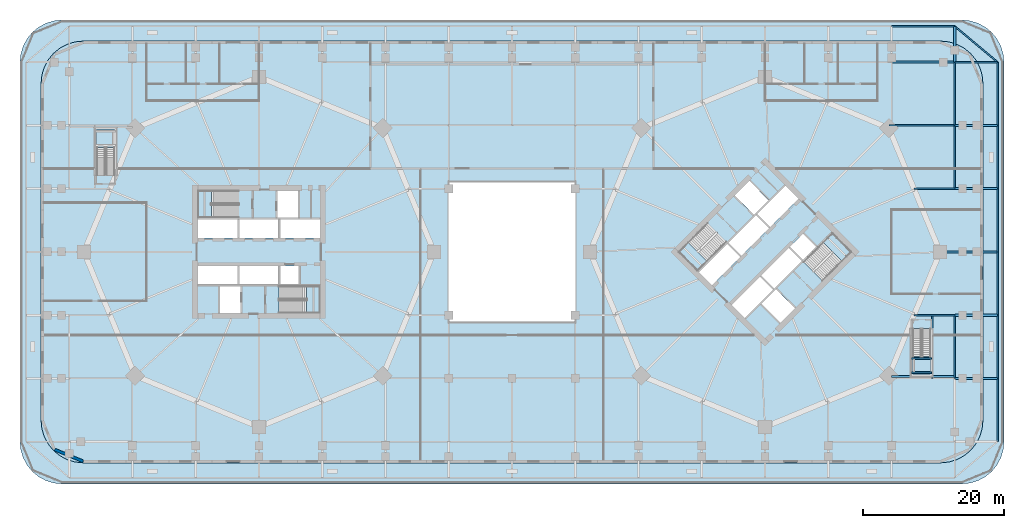
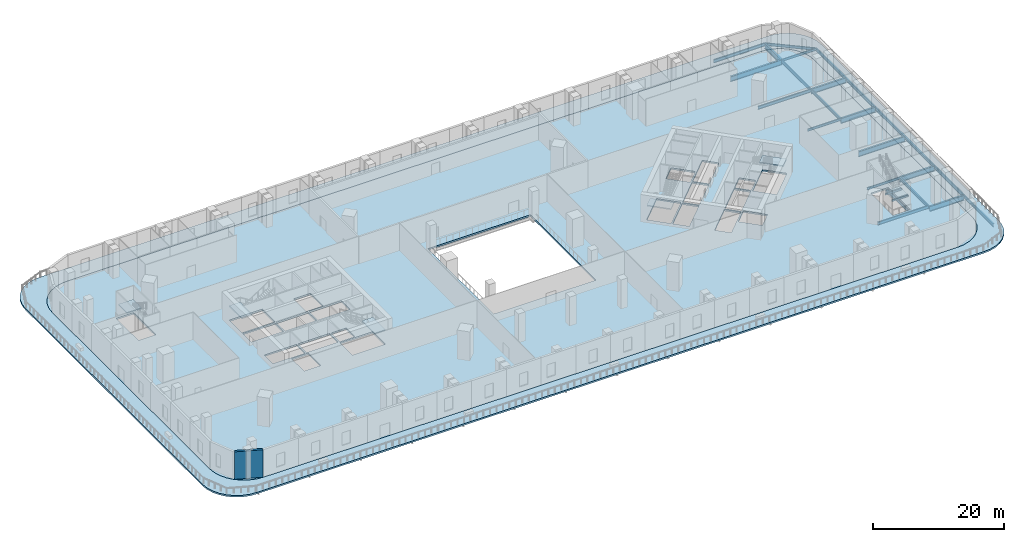
# One storey, part 3 of 19: 26 beams, 8 slabs, 1 wall, 6 elements without a shape of their own.
"""IFC4 building model written with IfcOpenShell, lengths in metres."""

import ifcopenshell
import ifcopenshell.guid

model = None  # the IFC model being written
_history = None  # IfcOwnerHistory: only IFC2X3 demands one
_inside = {}  # id of a spatial element -> (the spatial element, [elements in it])
_under = {}  # id of a project, library or spatial element -> (it, [spatial elements below it])
_declared = {}  # id of a project -> (the project, [libraries it declares])
_typed = {}  # id of a type object -> (the type object, [elements of that type])
_made_of = {}  # id of a material, layer set ... -> (it, [elements and type objects made of it])


def new_model(schema):
    """Start an empty IFC model of exactly this schema.

    Asked for "IFC4X3", IfcOpenShell would pick the latest addendum, in which some entities
    have other attributes; the version numbers below select the first issue.
    IFC2X3 requires an IfcOwnerHistory on every rooted entity: one is made here for all.
    """
    global model, _history
    if schema == "IFC4X3":
        model = ifcopenshell.file(schema_version=(4, 3, 0, 0))
    else:
        model = ifcopenshell.file(schema=schema)
    _inside.clear()
    _under.clear()
    _declared.clear()
    _typed.clear()
    _made_of.clear()
    _history = None
    if model.schema == "IFC2X3":
        org = make("IfcOrganization", Name="unknown")
        user = make(
            "IfcPersonAndOrganization",
            ThePerson=make("IfcPerson", FamilyName="unknown"),
            TheOrganization=org,
        )
        app = make(
            "IfcApplication",
            ApplicationDeveloper=org,
            Version="unknown",
            ApplicationFullName="unknown",
            ApplicationIdentifier="unknown",
        )
        _history = make(
            "IfcOwnerHistory",
            OwningUser=user,
            OwningApplication=app,
            ChangeAction="ADDED",
            CreationDate=0,
        )
    return model


def make(cls, **values):
    """One entity of the class cls with the attributes given. An attribute that is None is left unset."""
    return model.create_entity(
        cls, **{name: value for name, value in values.items() if value is not None}
    )


def rooted(cls, **values):
    """An entity with a GlobalId (a new one), such as an element, a storey or a relation."""
    return make(cls, GlobalId=ifcopenshell.guid.new(), OwnerHistory=_history, **values)


def si_unit(unit_type, name, prefix=None):
    """IfcSIUnit, for example si_unit("LENGTHUNIT", "METRE", prefix="MILLI")."""
    return make("IfcSIUnit", UnitType=unit_type, Prefix=prefix, Name=name)


def assignment(units):
    """IfcUnitAssignment: the units of a project."""
    return None if units is None else make("IfcUnitAssignment", Units=units)


def point(xyz):
    """IfcCartesianPoint."""
    return None if xyz is None else make("IfcCartesianPoint", Coordinates=xyz)


def direction(xyz):
    """IfcDirection."""
    return None if xyz is None else make("IfcDirection", DirectionRatios=xyz)


def frame(location, z_axis=None, x_axis=None):
    """IfcAxis2Placement3D, a coordinate frame: its origin and axes. An axis left out is left unset."""
    return make(
        "IfcAxis2Placement3D",
        Location=point(location),
        Axis=direction(z_axis),
        RefDirection=direction(x_axis),
    )


def frame_2d(location, x_axis=None):
    """IfcAxis2Placement2D, a coordinate frame in the plane: its origin and x axis."""
    return make(
        "IfcAxis2Placement2D", Location=point(location), RefDirection=direction(x_axis)
    )


def origin():
    """The frame at (0, 0, 0) with its axes left unset."""
    return frame((0.0, 0.0, 0.0))


def origin_2d():
    """The frame at (0, 0) in the plane with its x axis left unset."""
    return frame_2d((0.0, 0.0))


def place(relative_to, where):
    """IfcLocalPlacement: puts the frame where relative to a parent placement (None: the world)."""
    return make(
        "IfcLocalPlacement", PlacementRelTo=relative_to, RelativePlacement=where
    )


def context(
    kind, dimensions, precision=None, world=None, true_north=None, identifier=None
):
    """IfcGeometricRepresentationContext, for example the 3D "Model" context."""
    return make(
        "IfcGeometricRepresentationContext",
        ContextIdentifier=identifier,
        ContextType=kind,
        CoordinateSpaceDimension=dimensions,
        Precision=precision,
        WorldCoordinateSystem=world,
        TrueNorth=true_north,
    )


def subcontext(parent, identifier, kind, view, scale=None):
    """IfcGeometricRepresentationSubContext, for example "Body" below "Model"."""
    return make(
        "IfcGeometricRepresentationSubContext",
        ContextIdentifier=identifier,
        ContextType=kind,
        ParentContext=parent,
        TargetScale=scale,
        TargetView=view,
    )


def project(units=None, contexts=None):
    """IfcProject with its units and contexts."""
    return rooted(
        "IfcProject",
        Name="project",
        RepresentationContexts=contexts,
        UnitsInContext=assignment(units),
    )


def spatial(cls, under=None, at=None, **own):
    """A site, building, storey or space (cls), placed at a placement, below another one or the project."""
    s = rooted(cls, ObjectPlacement=at, **own)
    if under is not None:
        _under.setdefault(under.id(), (under, []))[1].append(s)
    return s


def polyline(points):
    """IfcPolyline through the points."""
    return make("IfcPolyline", Points=[point(p) for p in points])


def profile(cls, at=None, kind="AREA", **sizes):
    """A parametric profile (cls). Its sizes go by their IFC names, for example OverallWidth=200.0."""
    return make(cls, ProfileType=kind, Position=at, **sizes)


def rectangle(**sizes):
    """IfcRectangleProfileDef."""
    return profile("IfcRectangleProfileDef", **sizes)


def i_section(**sizes):
    """IfcIShapeProfileDef."""
    return profile("IfcIShapeProfileDef", **sizes)


def outline(outer, holes=None, kind="AREA"):
    """IfcArbitraryClosedProfileDef: a profile drawn as a closed curve; with holes, ...WithVoids."""
    if holes is None:
        return make("IfcArbitraryClosedProfileDef", ProfileType=kind, OuterCurve=outer)
    return make(
        "IfcArbitraryProfileDefWithVoids",
        ProfileType=kind,
        OuterCurve=outer,
        InnerCurves=holes,
    )


def extrude(swept, where, along, depth):
    """IfcExtrudedAreaSolid: the profile swept, set in the frame where, extruded along a direction by depth."""
    return make(
        "IfcExtrudedAreaSolid",
        SweptArea=swept,
        Position=where,
        ExtrudedDirection=direction(along),
        Depth=depth,
    )


def shape(context_of_items, identifier, shape_type, items):
    """IfcShapeRepresentation: the items that make up one representation, for example the "Body"."""
    return make(
        "IfcShapeRepresentation",
        ContextOfItems=context_of_items,
        RepresentationIdentifier=identifier,
        RepresentationType=shape_type,
        Items=items,
    )


def material(Name=None, Category=None):
    """IfcMaterial."""
    return make("IfcMaterial", Name=Name, Category=Category)


def layer(
    of_material, thickness, ventilated=None, Name=None, Category=None, Priority=None
):
    """IfcMaterialLayer: one layer of a wall or slab, of a material (None: an air gap)."""
    return make(
        "IfcMaterialLayer",
        Material=of_material,
        LayerThickness=thickness,
        IsVentilated=ventilated,
        Name=Name,
        Category=Category,
        Priority=Priority,
    )


def layer_set(layers, Name=None):
    """IfcMaterialLayerSet."""
    return make("IfcMaterialLayerSet", MaterialLayers=layers, LayerSetName=Name)


def material_profile(
    of_material, cross_section, Name=None, Category=None, Priority=None
):
    """IfcMaterialProfile: a cross section and its material."""
    return make(
        "IfcMaterialProfile",
        Name=Name,
        Material=of_material,
        Profile=cross_section,
        Priority=Priority,
        Category=Category,
    )


def profile_set(profiles, Name=None, composite=None):
    """IfcMaterialProfileSet."""
    return make(
        "IfcMaterialProfileSet",
        Name=Name,
        MaterialProfiles=profiles,
        CompositeProfile=composite,
    )


def made_of(thing, what):
    """Note that an element or type object is made of a material, layer set ...; save() writes the relation."""
    if what is not None:
        _made_of.setdefault(what.id(), (what, []))[1].append(thing)
    return thing


def type_object(cls, material=None, **own):
    """A type object (cls), such as IfcWallType, which elements share."""
    return made_of(rooted(cls, **own), material)


def element(
    cls,
    number,
    at=None,
    inside=None,
    cuts=None,
    type_object=None,
    material=None,
    context=None,
    identifier="Body",
    shape_type=None,
    held_by="IfcProductDefinitionShape",
    body=None,
    shapes=None,
    **own,
):
    """One element of the class cls, such as IfcWall. Its Tag is "e" and its number.

    at: its placement. inside: the storey or other place that contains it. cuts: it is an
    opening in that element (IfcRelVoidsElement). A single representation is given by context,
    identifier, shape_type and body (its items); several are given by shapes. held_by: the class
    of the entity that holds the representations. save() writes the other relations.
    """
    e = rooted(cls, Tag="e%d" % number, ObjectPlacement=at, **own)
    if body is not None:
        shapes = [shape(context, identifier, shape_type, body)]
    if shapes is not None:
        e.Representation = make(held_by, Representations=shapes)
    if inside is not None:
        _inside.setdefault(inside.id(), (inside, []))[1].append(e)
    if cuts is not None:
        rooted(
            "IfcRelVoidsElement", RelatingBuildingElement=cuts, RelatedOpeningElement=e
        )
    if type_object is not None:
        _typed.setdefault(type_object.id(), (type_object, []))[1].append(e)
    return made_of(e, material)


def aggregate(whole, parts):
    """IfcRelAggregates: a whole, such as a stair, and the parts it consists of."""
    return rooted("IfcRelAggregates", RelatingObject=whole, RelatedObjects=parts)


def save(model, path):
    """Write the relations noted so far, then the file.

    IfcRelAggregates (storeys below a building ...), IfcRelContainedInSpatialStructure (elements
    in a storey), IfcRelDefinesByType, IfcRelAssociatesMaterial and IfcRelDeclares: one each for
    every whole, place, type object, material and project.
    """
    for whole, parts in _under.values():
        aggregate(whole, parts)
    for where, things in _inside.values():
        rooted(
            "IfcRelContainedInSpatialStructure",
            RelatedElements=things,
            RelatingStructure=where,
        )
    for kind, things in _typed.values():
        rooted("IfcRelDefinesByType", RelatedObjects=things, RelatingType=kind)
    for what, things in _made_of.values():
        rooted("IfcRelAssociatesMaterial", RelatedObjects=things, RelatingMaterial=what)
    for by, libraries in _declared.values():
        rooted("IfcRelDeclares", RelatingContext=by, RelatedDefinitions=libraries)
    model.write(path)


model = new_model("IFC4")

# Units and contexts
model_context = context("Model", 3, precision=1e-05, world=origin(), true_north=direction((0.0, 1.0)))
body_context = subcontext(model_context, "Body", "Model", "MODEL_VIEW")
ifc_project = project(units=[si_unit("LENGTHUNIT", "METRE"), si_unit("AREAUNIT", "SQUARE_METRE"), si_unit("VOLUMEUNIT", "CUBIC_METRE"), si_unit("PLANEANGLEUNIT", "RADIAN"), si_unit("MASSUNIT", "GRAM", prefix="KILO")], contexts=[model_context])

# Site, building, storey
site_placement = place(None, origin())
site = spatial("IfcSite", under=ifc_project, at=site_placement, CompositionType="ELEMENT")
building_placement = place(site_placement, origin())
building = spatial("IfcBuilding", under=site, at=building_placement, Name="Ogive Gate Towers", CompositionType="ELEMENT")
storey_placement = place(building_placement, frame((0.0, 0.0, 12.60009765625)))
storey = spatial("IfcBuildingStorey", under=building, at=storey_placement, Name="L02", CompositionType="ELEMENT", Elevation=12.60009765625)

# Beams
ifc_material_1 = material(Name="Steel SM355", Category="steel")
ifc_material_profile_1 = material_profile(ifc_material_1, i_section(OverallWidth=0.18994140625, OverallDepth=0.449951171875, WebThickness=0.009521484375, FlangeThickness=0.0146484375, FilletRadius=0.02099609375, at=origin_2d()), Name="IPE 450")
ifc_profile_set_1 = profile_set([ifc_material_profile_1], Name="Steel SM355")
beam_type_1 = type_object("IfcBeamType", Name="Floor beam IPE 450", PredefinedType="BEAM", material=ifc_profile_set_1)
beam_1_placement = place(storey_placement, frame((63.0, 27.0, -0.525146484375), z_axis=(1.0, 0.0, 0.0), x_axis=(0.0, 1.0, 0.0)))
element("IfcBeam", 1, at=beam_1_placement, inside=storey, type_object=beam_type_1, Name="PD/L02/SBM102", PredefinedType="BEAM", context=body_context, shape_type="SweptSolid", body=[
    extrude(i_section(OverallWidth=0.18994140625, OverallDepth=0.449951171875, WebThickness=0.009521484375, FlangeThickness=0.0146484375, FilletRadius=0.02099609375, at=origin_2d()), origin(), (0.0, 0.0, 1.0), 6.095703125),
])
for number, where, z_axis, x_axis, name in (
    (2, (63.0, -9.0, -0.525146484375), (-1.0, 0.0, 0.0), (0.0, -1.0, 0.0), "PD/L02/SBM161"),
    (3, (63.0, 9.0, -0.525146484375), (-1.0, 0.0, 0.0), (0.0, -1.0, 0.0), "PD/L02/SBM162"),
):
    element("IfcBeam", number, at=place(storey_placement, frame(where, z_axis=z_axis, x_axis=x_axis)), inside=storey, type_object=beam_type_1, Name=name, PredefinedType="BEAM", context=body_context, shape_type="SweptSolid", body=[
        extrude(i_section(OverallWidth=0.18994140625, OverallDepth=0.449951171875, WebThickness=0.009521484375, FlangeThickness=0.0146484375, FilletRadius=0.02099609375, at=origin_2d()), origin(), (0.0, 0.0, 1.0), 5.81787109375),
    ])
ifc_material_profile_2 = material_profile(ifc_material_1, i_section(OverallWidth=0.199951171875, OverallDepth=0.5, WebThickness=0.01025390625, FlangeThickness=0.01611328125, FilletRadius=0.02099609375, at=origin_2d()), Name="IPE 500")
ifc_profile_set_2 = profile_set([ifc_material_profile_2], Name="Steel SM355")
beam_type_2 = type_object("IfcBeamType", Name="Floor beam IPE 500", PredefinedType="BEAM", material=ifc_profile_set_2)
beam_2_placement = place(storey_placement, frame((63.0, 32.10009765625, -0.550048828125), z_axis=(0.766960869865, -0.641693871014, 0.0), x_axis=(0.641693871014, 0.766960869865, 0.0)))
element("IfcBeam", 4, at=beam_2_placement, inside=storey, type_object=beam_type_2, Name="PD/L02/SBM139", PredefinedType="BEAM", context=body_context, shape_type="SweptSolid", body=[
    extrude(i_section(OverallWidth=0.199951171875, OverallDepth=0.5, WebThickness=0.01025390625, FlangeThickness=0.01611328125, FilletRadius=0.02099609375, at=origin_2d()), origin(), (0.0, 0.0, 1.0), 7.94775390625),
])
ifc_material_profile_3 = material_profile(ifc_material_1, i_section(OverallWidth=0.219970703125, OverallDepth=0.60009765625, WebThickness=0.011962890625, FlangeThickness=0.01904296875, FilletRadius=0.02392578125, at=origin_2d()), Name="IPE 600")
ifc_profile_set_3 = profile_set([ifc_material_profile_3], Name="Steel SM355")
beam_type_3 = type_object("IfcBeamType", Name="Floor beam IPE 600", PredefinedType="BEAM", material=ifc_profile_set_3)
for number, where, z_axis, x_axis, name in (
    (5, (63.0, -18.0, -0.60009765625), (0.0, 1.0, 0.0), (-1.0, 0.0, 0.0), "PD/L02/SBM068"),
    (6, (63.0, 9.0, -0.60009765625), (0.0, 1.0, 0.0), (-1.0, 0.0, 0.0), "PD/L02/SBM069"),
    (7, (63.0, 18.0, -0.60009765625), (0.0, 1.0, 0.0), (-1.0, 0.0, 0.0), "PD/L02/SBM070"),
):
    element("IfcBeam", number, at=place(storey_placement, frame(where, z_axis=z_axis, x_axis=x_axis)), inside=storey, type_object=beam_type_3, Name=name, PredefinedType="BEAM", context=body_context, shape_type="SweptSolid", body=[
        extrude(i_section(OverallWidth=0.219970703125, OverallDepth=0.60009765625, WebThickness=0.011962890625, FlangeThickness=0.01904296875, FilletRadius=0.02392578125, at=origin_2d()), origin(), (0.0, 0.0, 1.0), 9.0),
    ])
beam_3_placement = place(storey_placement, frame((53.614013671875, 18.0, -0.60009765625), z_axis=(1.0, 0.0, 0.0), x_axis=(0.0, 1.0, 0.0)))
element("IfcBeam", 8, at=beam_3_placement, inside=storey, type_object=beam_type_3, Name="PD/L02/SBM092", PredefinedType="BEAM", context=body_context, shape_type="SweptSolid", body=[
    extrude(i_section(OverallWidth=0.219970703125, OverallDepth=0.60009765625, WebThickness=0.011962890625, FlangeThickness=0.01904296875, FilletRadius=0.02392578125, at=origin_2d()), origin(), (0.0, 0.0, 1.0), 9.385986328125),
])
for number, where, z_axis, x_axis, name in (
    (9, (54.0, 32.10009765625, -0.60009765625), (1.0, 0.0, 0.0), (0.0, 1.0, 0.0), "PD/L02/SBM138"),
    (10, (69.095703125, 27.0, -0.60009765625), (0.000488281192, -0.999999880791, 0.0), (0.999999880791, 0.000488281192, 0.0), "PD/L02/SBM140"),
    (11, (69.10009765625, 18.0, -0.60009765625), (0.0, -1.0, 0.0), (1.0, 0.0, 0.0), "PD/L02/SBM141"),
    (12, (69.10009765625, 9.0, -0.60009765625), (0.0, -1.0, 0.0), (1.0, 0.0, 0.0), "PD/L02/SBM142"),
    (13, (69.10009765625, 0.0, -0.60009765625), (0.0, -1.0, 0.0), (1.0, 0.0, 0.0), "PD/L02/SBM143"),
    (14, (69.10009765625, -9.0, -0.60009765625), (0.0, -1.0, 0.0), (1.0, 0.0, 0.0), "PD/L02/SBM144"),
    (15, (69.10009765625, -18.0, -0.60009765625), (-0.000488281192, -0.999999880791, 0.0), (0.999999880791, -0.000488281192, 0.0), "PD/L02/SBM145"),
    (16, (54.0, -17.719970703125, -0.60009765625), (1.0, 0.0, 0.0), (0.0, 1.0, 0.0), "PD/L02/SBM167"),
    (17, (59.800048828125, -18.0, -0.60009765625), (0.0, 1.0, 0.0), (-1.0, 0.0, 0.0), "PD/L02/SBM168"),
):
    element("IfcBeam", number, at=place(storey_placement, frame(where, z_axis=z_axis, x_axis=x_axis)), inside=storey, type_object=beam_type_3, Name=name, PredefinedType="BEAM", context=body_context, shape_type="SweptSolid", body=[
        extrude(i_section(OverallWidth=0.219970703125, OverallDepth=0.60009765625, WebThickness=0.011962890625, FlangeThickness=0.01904296875, FilletRadius=0.02392578125, at=origin_2d()), origin(), (0.0, 0.0, 1.0), 9.0),
    ])
ifc_material_2 = material(Name="Concrete C40/50", Category="concrete")
ifc_material_profile_4 = material_profile(ifc_material_2, rectangle(XDim=0.25, YDim=0.300048828125, at=origin_2d()), Name="RC 250x300")
ifc_profile_set_4 = profile_set([ifc_material_profile_4], Name="Concrete C40/50")
beam_type_4 = type_object("IfcBeamType", Name="Landing bearer RC 250x300 (stair)", PredefinedType="BEAM", material=ifc_profile_set_4)
for number, where, z_axis, x_axis, name in (
    (18, (56.85009765625, -15.169921875, 2.349853515625), (1.0, 0.0, 0.0), (0.0, 1.0, 0.0), "PS2 L02 landing 1 bearer 1"),
    (19, (56.85009765625, -17.169921875, 2.349853515625), (1.0, 0.0, 0.0), (0.0, 1.0, 0.0), "PS2 L02 landing 1 bearer 2"),
):
    element("IfcBeam", number, at=place(storey_placement, frame(where, z_axis=z_axis, x_axis=x_axis)), inside=storey, type_object=beam_type_4, Name=name, PredefinedType="BEAM", context=body_context, shape_type="SweptSolid", body=[
        extrude(rectangle(XDim=0.25, YDim=0.300048828125, at=origin_2d()), origin(), (0.0, 0.0, 1.0), 2.849853515625),
    ])
ifc_material_3 = material(Name="Steel SM460", Category="steel")
ifc_material_profile_5 = material_profile(ifc_material_3, i_section(OverallWidth=0.300048828125, OverallDepth=0.989990234375, WebThickness=0.0166015625, FlangeThickness=0.031005859375, FilletRadius=0.030029296875, at=origin_2d()), Name="HE 1000 A")
ifc_profile_set_5 = profile_set([ifc_material_profile_5], Name="Steel SM460")
beam_type_5 = type_object("IfcBeamType", Name="Transfer girder HE 1000 A", PredefinedType="BEAM", material=ifc_profile_set_5)
beam_4_placement = place(storey_placement, frame((63.0, 27.0, -0.795166015625), z_axis=(0.0, 1.0, 0.0), x_axis=(-1.0, 0.0, 0.0)))
element("IfcBeam", 20, at=beam_4_placement, inside=storey, type_object=beam_type_5, Name="PD/L02/SBM030", PredefinedType="BEAM", context=body_context, shape_type="SweptSolid", body=[
    extrude(i_section(OverallWidth=0.300048828125, OverallDepth=0.989990234375, WebThickness=0.0166015625, FlangeThickness=0.031005859375, FilletRadius=0.030029296875, at=origin_2d()), origin(), (0.0, 0.0, 1.0), 5.10009765625),
])
for number, where, z_axis, x_axis, name in (
    (21, (63.0, -18.0, -0.795166015625), (1.0, 0.0, 0.0), (0.0, 1.0, 0.0), "PD/L02/SBM034"),
    (22, (63.0, -9.0, -0.795166015625), (1.0, 0.0, 0.0), (0.0, 1.0, 0.0), "PD/L02/SBM036"),
):
    element("IfcBeam", number, at=place(storey_placement, frame(where, z_axis=z_axis, x_axis=x_axis)), inside=storey, type_object=beam_type_5, Name=name, PredefinedType="BEAM", context=body_context, shape_type="SweptSolid", body=[
        extrude(i_section(OverallWidth=0.300048828125, OverallDepth=0.989990234375, WebThickness=0.0166015625, FlangeThickness=0.031005859375, FilletRadius=0.030029296875, at=origin_2d()), origin(), (0.0, 0.0, 1.0), 6.10009765625),
    ])
beam_5_placement = place(storey_placement, frame((60.909912109375, 0.0, -0.795166015625), z_axis=(1.0, 0.0, 0.0), x_axis=(0.0, 1.0, 0.0)))
element("IfcBeam", 23, at=beam_5_placement, inside=storey, type_object=beam_type_5, Name="PD/L02/SBM038", PredefinedType="BEAM", context=body_context, shape_type="SweptSolid", body=[
    extrude(i_section(OverallWidth=0.300048828125, OverallDepth=0.989990234375, WebThickness=0.0166015625, FlangeThickness=0.031005859375, FilletRadius=0.030029296875, at=origin_2d()), origin(), (0.0, 0.0, 1.0), 8.190185546875),
])
for number, where, z_axis, x_axis, name in (
    (24, (63.0, 9.0, -0.795166015625), (1.0, 0.0, 0.0), (0.0, 1.0, 0.0), "PD/L02/SBM040"),
    (25, (63.0, 18.0, -0.795166015625), (1.0, 0.0, 0.0), (0.0, 1.0, 0.0), "PD/L02/SBM042"),
):
    element("IfcBeam", number, at=place(storey_placement, frame(where, z_axis=z_axis, x_axis=x_axis)), inside=storey, type_object=beam_type_5, Name=name, PredefinedType="BEAM", context=body_context, shape_type="SweptSolid", body=[
        extrude(i_section(OverallWidth=0.300048828125, OverallDepth=0.989990234375, WebThickness=0.0166015625, FlangeThickness=0.031005859375, FilletRadius=0.030029296875, at=origin_2d()), origin(), (0.0, 0.0, 1.0), 6.10009765625),
    ])
beam_6_placement = place(storey_placement, frame((54.0, 27.0, -0.795166015625), z_axis=(1.0, 0.0, 0.0), x_axis=(0.0, 1.0, 0.0)))
element("IfcBeam", 26, at=beam_6_placement, inside=storey, type_object=beam_type_5, Name="PD/L02/SBM044", PredefinedType="BEAM", context=body_context, shape_type="SweptSolid", body=[
    extrude(i_section(OverallWidth=0.300048828125, OverallDepth=0.989990234375, WebThickness=0.0166015625, FlangeThickness=0.031005859375, FilletRadius=0.030029296875, at=origin_2d()), origin(), (0.0, 0.0, 1.0), 9.0),
])

# Slab
ifc_material_4 = material(Name="Concrete C35/45", Category="concrete")
ifc_layer_1 = layer(ifc_material_4, 0.300048828125)
ifc_layer_set_1 = layer_set([ifc_layer_1], Name="Floor slab 300")
slab_type_1 = type_object("IfcSlabType", Name="Floor slab 300", PredefinedType="FLOOR", material=ifc_layer_set_1)
slab_1_placement = place(storey_placement, frame((0.0, 0.0, -0.300048828125)))
element("IfcSlab", 27, at=slab_1_placement, inside=storey, type_object=slab_type_1, Name="PD/L02/SSL001", PredefinedType="FLOOR", context=body_context, shape_type="SweptSolid", body=[
    extrude(outline(polyline([(65.24267578125, 28.24267578125), (64.33349609375, 28.98876953125), (63.296142578125, 29.543212890625), (62.170654296875, 29.884765625), (61.0, 30.0), (-61.0, 30.0), (-62.170654296875, 29.884765625), (-63.296142578125, 29.543212890625), (-64.33349609375, 28.98876953125), (-65.24267578125, 28.24267578125), (-65.98876953125, 27.33349609375), (-66.543212890625, 26.296142578125), (-66.884765625, 25.170654296875), (-67.0, 24.0), (-67.0, -24.0), (-66.884765625, -25.170654296875), (-66.543212890625, -26.296142578125), (-65.98876953125, -27.33349609375), (-65.24267578125, -28.24267578125), (-64.33349609375, -28.98876953125), (-63.296142578125, -29.543212890625), (-62.170654296875, -29.884765625), (-61.0, -30.0), (61.0, -30.0), (62.170654296875, -29.884765625), (63.296142578125, -29.543212890625), (64.33349609375, -28.98876953125), (65.24267578125, -28.24267578125), (65.98876953125, -27.33349609375), (66.543212890625, -26.296142578125), (66.884765625, -25.170654296875), (67.0, -24.0), (67.0, 24.0), (66.884765625, 25.170654296875), (66.543212890625, 26.296142578125), (65.98876953125, 27.33349609375), (65.24267578125, 28.24267578125)]), holes=[polyline([(-9.0, 10.0), (9.0, 10.0), (9.0, -10.0), (-9.0, -10.0), (-9.0, 10.0)]), polyline([(-56.300048828125, 10.965087890625), (-59.35009765625, 10.965087890625), (-59.35009765625, 17.719970703125), (-56.300048828125, 17.719970703125), (-56.300048828125, 10.965087890625)]), polyline([(59.800048828125, -10.965087890625), (59.800048828125, -17.719970703125), (56.75, -17.719970703125), (56.75, -10.965087890625), (59.800048828125, -10.965087890625)]), polyline([(-39.02490234375, 2.0), (-44.699951171875, 2.0), (-44.699951171875, 4.625), (-39.02490234375, 4.625), (-39.02490234375, 2.0)]), polyline([(-38.77490234375, 4.625), (-33.22509765625, 4.625), (-33.22509765625, 2.0), (-38.77490234375, 2.0), (-38.77490234375, 4.625)]), polyline([(-27.300048828125, 2.0), (-32.97509765625, 2.0), (-32.97509765625, 4.625), (-27.300048828125, 4.625), (-27.300048828125, 2.0)]), polyline([(-44.699951171875, -2.0), (-39.02490234375, -2.0), (-39.02490234375, -4.625), (-44.699951171875, -4.625), (-44.699951171875, -2.0)]), polyline([(-33.22509765625, -4.625), (-38.77490234375, -4.625), (-38.77490234375, -2.0), (-33.22509765625, -2.0), (-33.22509765625, -4.625)]), polyline([(-32.97509765625, -2.0), (-30.324951171875, -2.0), (-30.324951171875, -4.625), (-32.97509765625, -4.625), (-32.97509765625, -2.0)]), polyline([(-30.425048828125, 4.875), (-33.375, 4.875), (-33.375, 8.699951171875), (-30.425048828125, 8.699951171875), (-30.425048828125, 4.875)]), polyline([(-41.574951171875, -4.875), (-38.625, -4.875), (-38.625, -8.699951171875), (-41.574951171875, -8.699951171875), (-41.574951171875, -4.875)]), polyline([(-44.699951171875, 8.699951171875), (-38.885009765625, 8.699951171875), (-38.885009765625, 4.875), (-44.699951171875, 4.875), (-44.699951171875, 8.699951171875)]), polyline([(-33.114990234375, -4.875), (-27.300048828125, -4.875), (-27.300048828125, -8.699951171875), (-33.114990234375, -8.699951171875), (-33.114990234375, -4.875)]), polyline([(26.577880859375, -2.88134765625), (30.590576171875, 1.13134765625), (32.44677734375, -0.724853515625), (28.433837890625, -4.737548828125), (26.577880859375, -2.88134765625)]), polyline([(36.548095703125, 3.37646484375), (32.62353515625, -0.548095703125), (30.767333984375, 1.30810546875), (34.69189453125, 5.232666015625), (36.548095703125, 3.37646484375)]), polyline([(34.86865234375, 5.409423828125), (38.88134765625, 9.422119140625), (40.737548828125, 7.566162109375), (36.724853515625, 3.55322265625), (34.86865234375, 5.409423828125)]), polyline([(37.13134765625, -5.409423828125), (33.11865234375, -9.422119140625), (31.262451171875, -7.566162109375), (35.275146484375, -3.55322265625), (37.13134765625, -5.409423828125)]), polyline([(35.451904296875, -3.37646484375), (39.37646484375, 0.548095703125), (41.232666015625, -1.30810546875), (37.30810546875, -5.232666015625), (35.451904296875, -3.37646484375)]), polyline([(43.283203125, 0.742431640625), (41.409423828125, -1.13134765625), (39.55322265625, 0.724853515625), (41.427001953125, 2.5986328125), (43.283203125, 0.742431640625)]), polyline([(31.704345703125, 8.008056640625), (33.790283203125, 10.093994140625), (36.494873046875, 7.38916015625), (34.408935546875, 5.30322265625), (31.704345703125, 8.008056640625)]), polyline([(40.295654296875, -8.008056640625), (38.209716796875, -10.093994140625), (35.505126953125, -7.38916015625), (37.591064453125, -5.30322265625), (40.295654296875, -8.008056640625)]), polyline([(30.512939453125, 1.4072265625), (26.401123046875, -2.70458984375), (23.6962890625, 0.0), (27.80810546875, 4.11181640625), (30.512939453125, 1.4072265625)]), polyline([(48.3037109375, 0.0), (44.19189453125, -4.11181640625), (41.487060546875, -1.4072265625), (45.598876953125, 2.70458984375), (48.3037109375, 0.0)])]), origin(), (0.0, 0.0, 1.0), 0.300048828125),
])

# Stair, slab
ifc_material_5 = material(Name="Reinforced concrete C32/40", Category="concrete")
stair_type_1 = type_object("IfcStairType", Name="Escape stair 180 x 280", PredefinedType="HALF_TURN_STAIR", material=ifc_material_5)
stair_1_placement = place(storey_placement, origin())
stair_1 = element("IfcStair", 28, at=stair_1_placement, inside=storey, type_object=stair_type_1, Name="L02 escape stair", PredefinedType="HALF_TURN_STAIR")
ifc_layer_2 = layer(ifc_material_5, 0.199951171875)
ifc_layer_set_2 = layer_set([ifc_layer_2], Name="Stair landing 200")
slab_type_2 = type_object("IfcSlabType", Name="Stair landing 200", PredefinedType="LANDING", material=ifc_layer_set_2)
slab_2_placement = place(storey_placement, frame((0.0, 0.0, 2.5)))
slab_2 = element("IfcSlab", 29, at=slab_2_placement, type_object=slab_type_2, Name="PS1 landing 1", PredefinedType="LANDING", context=body_context, shape_type="SweptSolid", body=[
    extrude(outline(polyline([(-56.550048828125, 14.8701171875), (-56.550048828125, 17.469970703125), (-59.10009765625, 17.469970703125), (-59.10009765625, 14.8701171875), (-56.550048828125, 14.8701171875)])), origin(), (0.0, 0.0, 1.0), 0.199951171875),
])
aggregate(stair_1, [slab_2])

stair_2_placement = place(storey_placement, origin())
stair_2 = element("IfcStair", 30, at=stair_2_placement, inside=storey, type_object=stair_type_1, Name="L02 escape stair", PredefinedType="HALF_TURN_STAIR")
slab_3_placement = place(storey_placement, frame((0.0, 0.0, 2.5)))
slab_3 = element("IfcSlab", 31, at=slab_3_placement, type_object=slab_type_2, Name="PS2 landing 1", PredefinedType="LANDING", context=body_context, shape_type="SweptSolid", body=[
    extrude(outline(polyline([(57.0, -14.8701171875), (57.0, -17.469970703125), (59.550048828125, -17.469970703125), (59.550048828125, -14.8701171875), (57.0, -14.8701171875)])), origin(), (0.0, 0.0, 1.0), 0.199951171875),
])
aggregate(stair_2, [slab_3])

stair_type_2 = type_object("IfcStairType", Name="Escape stair 1840 wide", PredefinedType="HALF_TURN_STAIR", material=ifc_material_2)
stair_3_placement = place(storey_placement, origin())
stair_3 = element("IfcStair", 32, at=stair_3_placement, inside=storey, type_object=stair_type_2, Name="L02 Escape stair 1", PredefinedType="HALF_TURN_STAIR")
ifc_layer_3 = layer(ifc_material_2, 0.199951171875)
ifc_layer_set_3 = layer_set([ifc_layer_3], Name="Stair landing 200 mm")
slab_type_3 = type_object("IfcSlabType", Name="Stair landing 200 mm", PredefinedType="LANDING", material=ifc_layer_set_3)
slab_4_placement = place(storey_placement, frame((0.0, 0.0, 2.5)))
slab_4 = element("IfcSlab", 33, at=slab_4_placement, type_object=slab_type_3, Name="ST1 landing 1", PredefinedType="LANDING", context=body_context, shape_type="SweptSolid", body=[
    extrude(outline(polyline([(-42.784912109375, 8.699951171875), (-44.699951171875, 8.699951171875), (-44.699951171875, 4.875), (-42.784912109375, 4.875), (-42.784912109375, 8.699951171875)])), origin(), (0.0, 0.0, 1.0), 0.199951171875),
])
aggregate(stair_3, [slab_4])

stair_4_placement = place(storey_placement, origin())
stair_4 = element("IfcStair", 34, at=stair_4_placement, inside=storey, type_object=stair_type_2, Name="L02 Escape stair 2", PredefinedType="HALF_TURN_STAIR")
slab_5_placement = place(storey_placement, frame((0.0, 0.0, 2.5)))
slab_5 = element("IfcSlab", 35, at=slab_5_placement, type_object=slab_type_3, Name="ST2 landing 1", PredefinedType="LANDING", context=body_context, shape_type="SweptSolid", body=[
    extrude(outline(polyline([(-29.215087890625, -8.699951171875), (-27.300048828125, -8.699951171875), (-27.300048828125, -4.875), (-29.215087890625, -4.875), (-29.215087890625, -8.699951171875)])), origin(), (0.0, 0.0, 1.0), 0.199951171875),
])
aggregate(stair_4, [slab_5])

stair_5_placement = place(storey_placement, origin())
stair_5 = element("IfcStair", 36, at=stair_5_placement, inside=storey, type_object=stair_type_2, Name="L02 Escape stair 1", PredefinedType="HALF_TURN_STAIR")
slab_6_placement = place(storey_placement, frame((0.0, 0.0, 2.5)))
slab_6 = element("IfcSlab", 37, at=slab_6_placement, type_object=slab_type_3, Name="ST1 landing 1", PredefinedType="LANDING", context=body_context, shape_type="SweptSolid", body=[
    extrude(outline(polyline([(25.050537109375, 1.35400390625), (23.6962890625, 0.0), (26.401123046875, -2.70458984375), (27.755126953125, -1.3505859375), (25.050537109375, 1.35400390625)])), origin(), (0.0, 0.0, 1.0), 0.199951171875),
])
aggregate(stair_5, [slab_6])

stair_6_placement = place(storey_placement, origin())
stair_6 = element("IfcStair", 38, at=stair_6_placement, inside=storey, type_object=stair_type_2, Name="L02 Escape stair 2", PredefinedType="HALF_TURN_STAIR")
slab_7_placement = place(storey_placement, frame((0.0, 0.0, 2.5)))
slab_7 = element("IfcSlab", 39, at=slab_7_placement, type_object=slab_type_3, Name="ST2 landing 1", PredefinedType="LANDING", context=body_context, shape_type="SweptSolid", body=[
    extrude(outline(polyline([(46.949462890625, -1.35400390625), (48.3037109375, 0.0), (45.598876953125, 2.70458984375), (44.244873046875, 1.3505859375), (46.949462890625, -1.35400390625)])), origin(), (0.0, 0.0, 1.0), 0.199951171875),
])
aggregate(stair_6, [slab_7])

# Slab
ifc_layer_4 = layer(ifc_material_4, 0.300048828125)
ifc_layer_set_4 = layer_set([ifc_layer_4], Name="Terrace slab 300")
slab_type_4 = type_object("IfcSlabType", Name="Terrace slab 300", PredefinedType="FLOOR", material=ifc_layer_set_4)
slab_8_placement = place(storey_placement, frame((0.0, 0.0, -0.300048828125)))
element("IfcSlab", 40, at=slab_8_placement, inside=storey, type_object=slab_type_4, Name="PD/L02/SSL002", PredefinedType="FLOOR", context=body_context, shape_type="SweptSolid", body=[
    extrude(outline(polyline([(-64.0, -33.0), (64.0, -33.0), (65.170654296875, -32.884765625), (66.296142578125, -32.543212890625), (67.33349609375, -31.98876953125), (68.24267578125, -31.24267578125), (68.98876953125, -30.33349609375), (69.543212890625, -29.296142578125), (69.884765625, -28.170654296875), (70.0, -27.0), (70.0, 27.0), (69.884765625, 28.170654296875), (69.543212890625, 29.296142578125), (68.98876953125, 30.33349609375), (68.24267578125, 31.24267578125), (67.33349609375, 31.98876953125), (66.296142578125, 32.543212890625), (65.170654296875, 32.884765625), (64.0, 33.0), (-64.0, 33.0), (-65.170654296875, 32.884765625), (-66.296142578125, 32.543212890625), (-67.33349609375, 31.98876953125), (-68.24267578125, 31.24267578125), (-68.98876953125, 30.33349609375), (-69.543212890625, 29.296142578125), (-69.884765625, 28.170654296875), (-70.0, 27.0), (-70.0, -27.0), (-69.884765625, -28.170654296875), (-69.543212890625, -29.296142578125), (-68.98876953125, -30.33349609375), (-68.24267578125, -31.24267578125), (-67.33349609375, -31.98876953125), (-66.296142578125, -32.543212890625), (-65.170654296875, -32.884765625), (-64.0, -33.0)]), holes=[polyline([(62.170654296875, -29.884765625), (61.0, -30.0), (-61.0, -30.0), (-62.170654296875, -29.884765625), (-63.296142578125, -29.543212890625), (-64.33349609375, -28.98876953125), (-65.24267578125, -28.24267578125), (-65.98876953125, -27.33349609375), (-66.543212890625, -26.296142578125), (-66.884765625, -25.170654296875), (-67.0, -24.0), (-67.0, 24.0), (-66.884765625, 25.170654296875), (-66.543212890625, 26.296142578125), (-65.98876953125, 27.33349609375), (-65.24267578125, 28.24267578125), (-64.33349609375, 28.98876953125), (-63.296142578125, 29.543212890625), (-62.170654296875, 29.884765625), (-61.0, 30.0), (61.0, 30.0), (62.170654296875, 29.884765625), (63.296142578125, 29.543212890625), (64.33349609375, 28.98876953125), (65.24267578125, 28.24267578125), (65.98876953125, 27.33349609375), (66.543212890625, 26.296142578125), (66.884765625, 25.170654296875), (67.0, 24.0), (67.0, -24.0), (66.884765625, -25.170654296875), (66.543212890625, -26.296142578125), (65.98876953125, -27.33349609375), (65.24267578125, -28.24267578125), (64.33349609375, -28.98876953125), (63.296142578125, -29.543212890625), (62.170654296875, -29.884765625)])]), origin(), (0.0, 0.0, 1.0), 0.300048828125),
])

# Wall
ifc_material_6 = material(Name="Precast concrete C40/50", Category="concrete")
ifc_layer_5 = layer(ifc_material_6, 0.39990234375)
ifc_layer_set_5 = layer_set([ifc_layer_5], Name="Podium wall 400")
wall_type = type_object("IfcWallType", Name="Podium wall 400", PredefinedType="SOLIDWALL", material=ifc_layer_set_5)
wall_placement = place(storey_placement, frame((-65.024658203125, -28.1328125, 0.0), z_axis=(0.0, 0.0, 1.0), x_axis=(0.923854820772, -0.382743086333, 0.0)))
element("IfcWall", 41, at=wall_placement, inside=storey, type_object=wall_type, Name="Podium wall", PredefinedType="SOLIDWALL", context=body_context, shape_type="SweptSolid", body=[
    extrude(rectangle(XDim=4.31640625, YDim=0.39990234375, at=frame_2d((2.158203125, 0.0))), origin(), (0.0, 0.0, 1.0), 5.099853515625),
])

save(model, "model.ifc")
